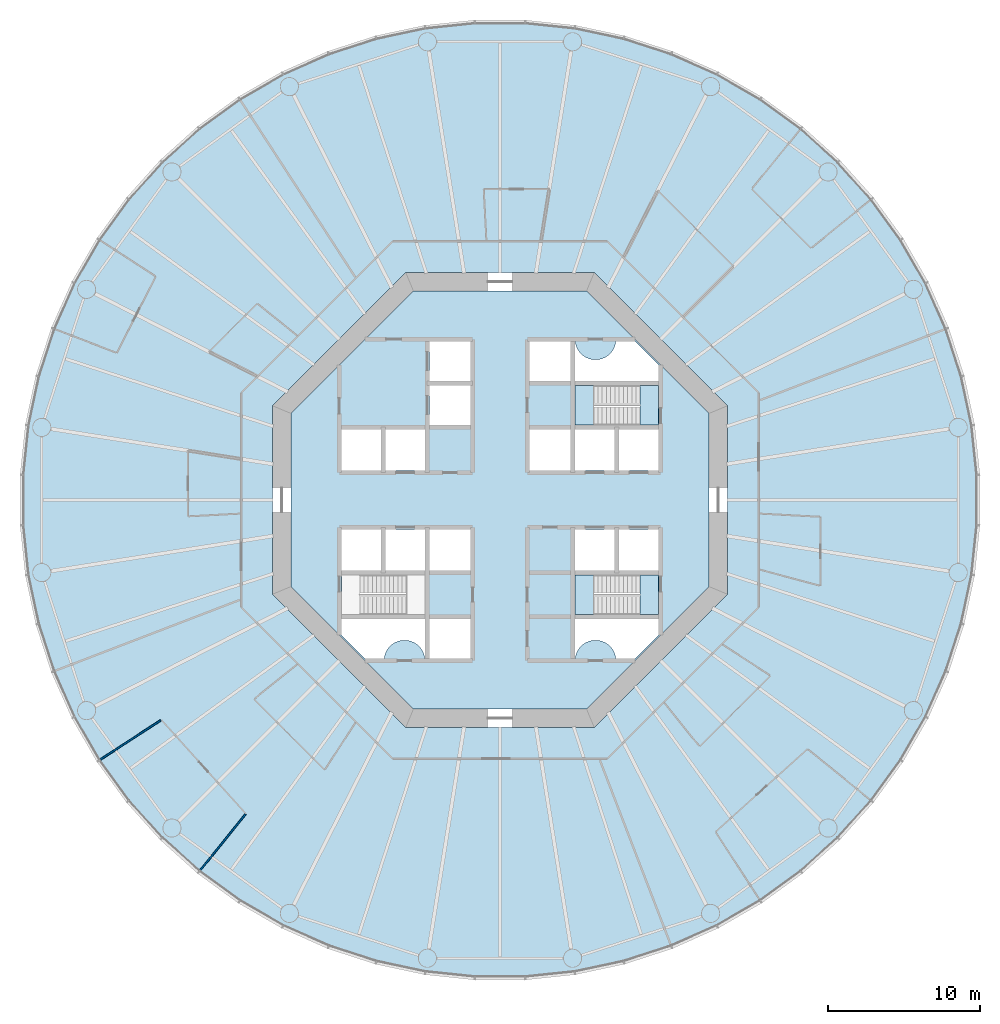
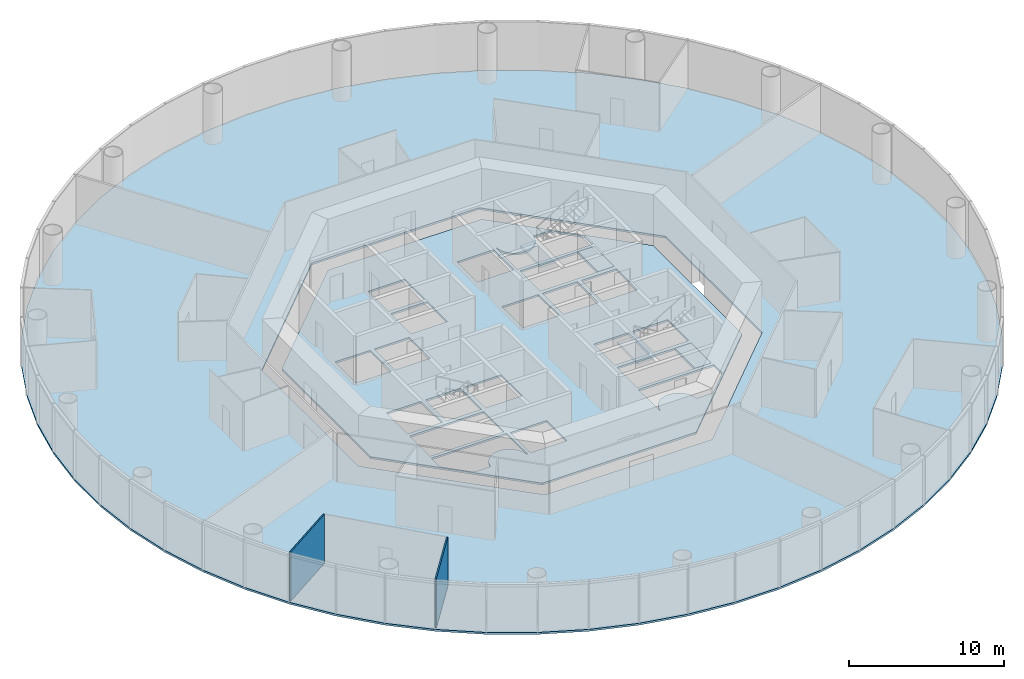
# One storey, part 2 of 13: 6 slabs, 2 walls, 2 elements without a shape of their own.
"""IFC4 building model written with IfcOpenShell, lengths in metres."""

from ifc_helpers import new_model, si_unit, direction, frame, frame_2d, origin, place, context, subcontext, project, spatial, polyline, rectangle, outline, extrude, material, layer, layer_set, type_object, element, aggregate, save


model = new_model("IFC4")

# Units and contexts
model_context = context("Model", 3, precision=1e-05, world=origin(), true_north=direction((0.0, 1.0)))
body_context = subcontext(model_context, "Body", "Model", "MODEL_VIEW")
ifc_project = project(units=[si_unit("LENGTHUNIT", "METRE"), si_unit("AREAUNIT", "SQUARE_METRE"), si_unit("VOLUMEUNIT", "CUBIC_METRE"), si_unit("PLANEANGLEUNIT", "RADIAN"), si_unit("MASSUNIT", "GRAM", prefix="KILO")], contexts=[model_context])

# Site, building, storey
site_placement = place(None, origin())
site = spatial("IfcSite", under=ifc_project, at=site_placement, CompositionType="ELEMENT")
building_placement = place(site_placement, origin())
building = spatial("IfcBuilding", under=site, at=building_placement, Name="Entoto Ring Tower", CompositionType="ELEMENT")
storey_placement = place(building_placement, frame((0.0, 0.0, 104.0)))
storey = spatial("IfcBuildingStorey", under=building, at=storey_placement, Name="L23", CompositionType="ELEMENT", Elevation=104.0)

# Slabs
ifc_material_1 = material(Name="Concrete C30/37", Category="concrete")
ifc_layer_1 = layer(ifc_material_1, 0.14990234375)
ifc_layer_set_1 = layer_set([ifc_layer_1], Name="Concrete C30/37")
slab_type_1 = type_object("IfcSlabType", Name="Composite floor slab 150 mm", PredefinedType="FLOOR", material=ifc_layer_set_1)
slab_1_placement = place(storey_placement, frame((0.0, 0.0, -0.14990234375)))
element("IfcSlab", 1, at=slab_1_placement, inside=storey, type_object=slab_type_1, Name="Floor slab L23", PredefinedType="FLOOR", context=body_context, shape_type="SweptSolid", body=[
    extrude(outline(polyline([(121.2109375, 84.943359375), (120.523193359375, 88.1787109375), (119.501220703125, 91.324462890625), (118.15576171875, 94.34619140625), (116.501953125, 97.210693359375), (114.557861328125, 99.886474609375), (112.344482421875, 102.344482421875), (109.886474609375, 104.557861328125), (107.210693359375, 106.501953125), (104.34619140625, 108.15576171875), (101.324462890625, 109.501220703125), (98.1787109375, 110.523193359375), (94.943359375, 111.2109375), (91.65380859375, 111.556640625), (88.34619140625, 111.556640625), (85.056640625, 111.2109375), (81.8212890625, 110.523193359375), (78.675537109375, 109.501220703125), (75.65380859375, 108.15576171875), (72.789306640625, 106.501953125), (70.113525390625, 104.557861328125), (67.655517578125, 102.344482421875), (65.442138671875, 99.886474609375), (63.498046875, 97.210693359375), (61.84423828125, 94.34619140625), (60.498779296875, 91.324462890625), (59.476806640625, 88.1787109375), (58.7890625, 84.943359375), (58.443359375, 81.65380859375), (58.443359375, 78.34619140625), (58.7890625, 75.056640625), (59.476806640625, 71.8212890625), (60.498779296875, 68.675537109375), (61.84423828125, 65.65380859375), (63.498046875, 62.789306640625), (65.442138671875, 60.113525390625), (67.655517578125, 57.655517578125), (70.113525390625, 55.442138671875), (72.789306640625, 53.498046875), (75.65380859375, 51.84423828125), (78.675537109375, 50.498779296875), (81.8212890625, 49.476806640625), (85.056640625, 48.7890625), (88.34619140625, 48.443359375), (91.65380859375, 48.443359375), (94.943359375, 48.7890625), (98.1787109375, 49.476806640625), (101.324462890625, 50.498779296875), (104.34619140625, 51.84423828125), (107.210693359375, 53.498046875), (109.886474609375, 55.442138671875), (112.344482421875, 57.655517578125), (114.557861328125, 60.113525390625), (116.501953125, 62.789306640625), (118.15576171875, 65.65380859375), (119.501220703125, 68.675537109375), (120.523193359375, 71.8212890625), (121.2109375, 75.056640625), (121.556640625, 78.34619140625), (121.556640625, 81.65380859375), (121.2109375, 84.943359375)]), holes=[polyline([(105.0, 73.786865234375), (105.0, 86.213134765625), (96.213134765625, 95.0), (83.786865234375, 95.0), (75.0, 86.213134765625), (75.0, 73.786865234375), (83.786865234375, 65.0), (96.213134765625, 65.0), (105.0, 73.786865234375)])]), origin(), (0.0, 0.0, 1.0), 0.14990234375),
])
ifc_material_2 = material(Name="Concrete C40/50", Category="concrete")
ifc_layer_2 = layer(ifc_material_2, 0.14990234375)
ifc_layer_set_2 = layer_set([ifc_layer_2], Name="Concrete C40/50")
slab_type_2 = type_object("IfcSlabType", Name="Core floor slab 150 mm reinforced concrete C40/50", PredefinedType="FLOOR", material=ifc_layer_set_2)
slab_2_placement = place(storey_placement, frame((0.0, 0.0, -0.14990234375)))
element("IfcSlab", 2, at=slab_2_placement, inside=storey, type_object=slab_type_2, Name="Core floor L23", PredefinedType="FLOOR", context=body_context, shape_type="SweptSolid", body=[
    extrude(outline(polyline([(103.800048828125, 74.283935546875), (103.800048828125, 85.716064453125), (95.716064453125, 93.800048828125), (84.283935546875, 93.800048828125), (76.199951171875, 85.716064453125), (76.199951171875, 74.283935546875), (84.283935546875, 66.199951171875), (95.716064453125, 66.199951171875), (103.800048828125, 74.283935546875)]), holes=[polyline([(100.449951171875, 84.949951171875), (100.449951171875, 87.550048828125), (94.949951171875, 87.550048828125), (94.949951171875, 84.949951171875), (100.449951171875, 84.949951171875)]), polyline([(85.050048828125, 72.449951171875), (85.050048828125, 75.050048828125), (79.550048828125, 75.050048828125), (79.550048828125, 72.449951171875), (85.050048828125, 72.449951171875)]), polyline([(100.449951171875, 72.449951171875), (100.449951171875, 75.050048828125), (94.949951171875, 75.050048828125), (94.949951171875, 72.449951171875), (100.449951171875, 72.449951171875)]), polyline([(94.949951171875, 81.949951171875), (97.550048828125, 81.949951171875), (97.550048828125, 84.64990234375), (94.949951171875, 84.64990234375), (94.949951171875, 81.949951171875)]), polyline([(97.85009765625, 81.949951171875), (100.449951171875, 81.949951171875), (100.449951171875, 84.64990234375), (97.85009765625, 84.64990234375), (97.85009765625, 81.949951171875)]), polyline([(82.449951171875, 81.949951171875), (85.050048828125, 81.949951171875), (85.050048828125, 84.64990234375), (82.449951171875, 84.64990234375), (82.449951171875, 81.949951171875)]), polyline([(94.949951171875, 75.35009765625), (97.550048828125, 75.35009765625), (97.550048828125, 78.050048828125), (94.949951171875, 78.050048828125), (94.949951171875, 75.35009765625)]), polyline([(97.85009765625, 75.35009765625), (100.449951171875, 75.35009765625), (100.449951171875, 78.050048828125), (97.85009765625, 78.050048828125), (97.85009765625, 75.35009765625)]), polyline([(82.449951171875, 75.35009765625), (85.050048828125, 75.35009765625), (85.050048828125, 78.050048828125), (82.449951171875, 78.050048828125), (82.449951171875, 75.35009765625)]), polyline([(79.550048828125, 81.949951171875), (82.14990234375, 81.949951171875), (82.14990234375, 84.64990234375), (79.550048828125, 84.64990234375), (79.550048828125, 81.949951171875)]), polyline([(79.550048828125, 75.35009765625), (82.14990234375, 75.35009765625), (82.14990234375, 78.050048828125), (79.550048828125, 78.050048828125), (79.550048828125, 75.35009765625)]), polyline([(91.949951171875, 87.85009765625), (94.64990234375, 87.85009765625), (94.64990234375, 90.449951171875), (91.949951171875, 90.449951171875), (91.949951171875, 87.85009765625)]), polyline([(85.35009765625, 69.550048828125), (88.050048828125, 69.550048828125), (88.050048828125, 72.14990234375), (85.35009765625, 72.14990234375), (85.35009765625, 69.550048828125)]), polyline([(91.949951171875, 81.949951171875), (94.64990234375, 81.949951171875), (94.64990234375, 84.64990234375), (91.949951171875, 84.64990234375), (91.949951171875, 81.949951171875)]), polyline([(85.35009765625, 75.35009765625), (88.050048828125, 75.35009765625), (88.050048828125, 78.050048828125), (85.35009765625, 78.050048828125), (85.35009765625, 75.35009765625)]), polyline([(85.35009765625, 84.949951171875), (88.050048828125, 84.949951171875), (88.050048828125, 87.550048828125), (85.35009765625, 87.550048828125), (85.35009765625, 84.949951171875)]), polyline([(85.35009765625, 87.85009765625), (88.050048828125, 87.85009765625), (88.050048828125, 90.449951171875), (85.35009765625, 90.449951171875), (85.35009765625, 87.85009765625)]), polyline([(94.89990234375, 90.5), (94.89990234375, 87.800048828125), (100.5, 87.800048828125), (100.5, 88.874755859375), (98.874755859375, 90.5), (97.64501953125, 90.5), (97.6435546875, 90.4677734375), (97.6240234375, 90.336669921875), (97.591796875, 90.2080078125), (97.547119140625, 90.08349609375), (97.490478515625, 89.963623046875), (97.422607421875, 89.85009765625), (97.343505859375, 89.74365234375), (97.254638671875, 89.6455078125), (97.156494140625, 89.556396484375), (97.050048828125, 89.4775390625), (96.936279296875, 89.409423828125), (96.816650390625, 89.352783203125), (96.69189453125, 89.30810546875), (96.5634765625, 89.27587890625), (96.432373046875, 89.256591796875), (96.300048828125, 89.25), (96.167724609375, 89.256591796875), (96.03662109375, 89.27587890625), (95.908203125, 89.30810546875), (95.783447265625, 89.352783203125), (95.66357421875, 89.409423828125), (95.550048828125, 89.4775390625), (95.443603515625, 89.556396484375), (95.345458984375, 89.6455078125), (95.25634765625, 89.74365234375), (95.177490234375, 89.85009765625), (95.109375, 89.963623046875), (95.052734375, 90.08349609375), (95.008056640625, 90.2080078125), (94.975830078125, 90.336669921875), (94.95654296875, 90.4677734375), (94.954833984375, 90.5), (94.89990234375, 90.5)]), polyline([(79.5, 71.125244140625), (81.125244140625, 69.5), (82.35498046875, 69.5), (82.3564453125, 69.5322265625), (82.3759765625, 69.663330078125), (82.408203125, 69.7919921875), (82.452880859375, 69.91650390625), (82.509521484375, 70.036376953125), (82.577392578125, 70.14990234375), (82.656494140625, 70.25634765625), (82.745361328125, 70.3544921875), (82.843505859375, 70.443603515625), (82.949951171875, 70.5224609375), (83.063720703125, 70.590576171875), (83.183349609375, 70.647216796875), (83.30810546875, 70.69189453125), (83.4365234375, 70.72412109375), (83.567626953125, 70.743408203125), (83.699951171875, 70.75), (83.832275390625, 70.743408203125), (83.96337890625, 70.72412109375), (84.091796875, 70.69189453125), (84.216552734375, 70.647216796875), (84.33642578125, 70.590576171875), (84.449951171875, 70.5224609375), (84.556396484375, 70.443603515625), (84.654541015625, 70.3544921875), (84.74365234375, 70.25634765625), (84.822509765625, 70.14990234375), (84.890625, 70.036376953125), (84.947265625, 69.91650390625), (84.991943359375, 69.7919921875), (85.024169921875, 69.663330078125), (85.04345703125, 69.5322265625), (85.045166015625, 69.5), (85.10009765625, 69.5), (85.10009765625, 72.199951171875), (79.5, 72.199951171875), (79.5, 71.125244140625)]), polyline([(97.64501953125, 69.5), (98.874755859375, 69.5), (100.5, 71.125244140625), (100.5, 72.199951171875), (94.89990234375, 72.199951171875), (94.89990234375, 69.5), (94.954833984375, 69.5), (94.95654296875, 69.5322265625), (94.975830078125, 69.663330078125), (95.008056640625, 69.7919921875), (95.052734375, 69.91650390625), (95.109375, 70.036376953125), (95.177490234375, 70.14990234375), (95.25634765625, 70.25634765625), (95.345458984375, 70.3544921875), (95.443603515625, 70.443603515625), (95.550048828125, 70.5224609375), (95.66357421875, 70.590576171875), (95.783447265625, 70.647216796875), (95.908203125, 70.69189453125), (96.03662109375, 70.72412109375), (96.167724609375, 70.743408203125), (96.300048828125, 70.75), (96.432373046875, 70.743408203125), (96.5634765625, 70.72412109375), (96.69189453125, 70.69189453125), (96.816650390625, 70.647216796875), (96.936279296875, 70.590576171875), (97.050048828125, 70.5224609375), (97.156494140625, 70.443603515625), (97.254638671875, 70.3544921875), (97.343505859375, 70.25634765625), (97.422607421875, 70.14990234375), (97.490478515625, 70.036376953125), (97.547119140625, 69.91650390625), (97.591796875, 69.7919921875), (97.6240234375, 69.663330078125), (97.6435546875, 69.5322265625), (97.64501953125, 69.5)])]), origin(), (0.0, 0.0, 1.0), 0.14990234375),
])

# Stair, slabs
ifc_material_3 = material(Name="Concrete C40/50", Category="concrete")
stair_type = type_object("IfcStairType", Name="Exit stair 1200 mm dog-leg reinforced concrete", PredefinedType="HALF_TURN_STAIR", material=ifc_material_3)
stair_1_placement = place(storey_placement, origin())
stair_1 = element("IfcStair", 3, at=stair_1_placement, inside=storey, type_object=stair_type, Name="Exit stair 1", PredefinedType="HALF_TURN_STAIR")
ifc_material_4 = material(Name="Concrete C40/50", Category="concrete")
ifc_layer_3 = layer(ifc_material_4, 0.199951171875)
ifc_layer_set_3 = layer_set([ifc_layer_3], Name="Concrete C40/50")
slab_type_3 = type_object("IfcSlabType", Name="Stair landing 200 mm reinforced concrete", PredefinedType="LANDING", material=ifc_layer_set_3)
slab_3_placement = place(storey_placement, frame((0.0, 0.0, -0.199951171875)))
slab_3 = element("IfcSlab", 4, at=slab_3_placement, type_object=slab_type_3, Name="ST1 landing 1", PredefinedType="LANDING", context=body_context, shape_type="SweptSolid", body=[
    extrude(outline(polyline([(100.449951171875, 84.949951171875), (100.449951171875, 87.550048828125), (99.25, 87.550048828125), (99.25, 84.949951171875), (100.449951171875, 84.949951171875)])), origin(), (0.0, 0.0, 1.0), 0.199951171875),
])
slab_4_placement = place(storey_placement, frame((0.0, 0.0, 1.800048828125)))
slab_4 = element("IfcSlab", 5, at=slab_4_placement, type_object=slab_type_3, Name="ST1 landing 2", PredefinedType="LANDING", context=body_context, shape_type="SweptSolid", body=[
    extrude(outline(polyline([(94.949951171875, 84.949951171875), (96.169921875, 84.949951171875), (96.169921875, 87.550048828125), (94.949951171875, 87.550048828125), (94.949951171875, 84.949951171875)])), origin(), (0.0, 0.0, 1.0), 0.199951171875),
])
aggregate(stair_1, [slab_3, slab_4])

stair_2_placement = place(storey_placement, origin())
stair_2 = element("IfcStair", 6, at=stair_2_placement, inside=storey, type_object=stair_type, Name="Exit stair 3", PredefinedType="HALF_TURN_STAIR")
slab_5_placement = place(storey_placement, frame((0.0, 0.0, -0.199951171875)))
slab_5 = element("IfcSlab", 7, at=slab_5_placement, type_object=slab_type_3, Name="ST3 landing 1", PredefinedType="LANDING", context=body_context, shape_type="SweptSolid", body=[
    extrude(outline(polyline([(100.449951171875, 72.449951171875), (100.449951171875, 75.050048828125), (99.25, 75.050048828125), (99.25, 72.449951171875), (100.449951171875, 72.449951171875)])), origin(), (0.0, 0.0, 1.0), 0.199951171875),
])
slab_6_placement = place(storey_placement, frame((0.0, 0.0, 1.800048828125)))
slab_6 = element("IfcSlab", 8, at=slab_6_placement, type_object=slab_type_3, Name="ST3 landing 2", PredefinedType="LANDING", context=body_context, shape_type="SweptSolid", body=[
    extrude(outline(polyline([(94.949951171875, 72.449951171875), (96.169921875, 72.449951171875), (96.169921875, 75.050048828125), (94.949951171875, 75.050048828125), (94.949951171875, 72.449951171875)])), origin(), (0.0, 0.0, 1.0), 0.199951171875),
])
aggregate(stair_2, [slab_5, slab_6])

# Walls
ifc_material_5 = material(Name="Plasterboard on steel studs", Category="steel")
ifc_layer_4 = layer(ifc_material_5, 0.10009765625)
ifc_layer_set_4 = layer_set([ifc_layer_4], Name="Plasterboard on steel studs")
wall_type = type_object("IfcWallType", Name="Partition 100 mm plasterboard on steel studs", PredefinedType="PARTITIONING", material=ifc_layer_set_4)
wall_1_placement = place(storey_placement, frame((63.632080078125, 62.87646484375, 0.0), z_axis=(0.0, 0.0, 1.0), x_axis=(0.838656789212, 0.544660251817, 0.0)))
element("IfcWall", 9, at=wall_1_placement, inside=storey, type_object=wall_type, Name="partition-L23-025", PredefinedType="PARTITIONING", context=body_context, shape_type="SweptSolid", body=[
    extrude(rectangle(XDim=4.7607421875, YDim=0.10009765625, at=frame_2d((2.38037109375, 0.0))), origin(), (0.0, 0.0, 1.0), 3.85009765625),
])
wall_2_placement = place(storey_placement, frame((70.214111328125, 55.56640625, 0.0), z_axis=(0.0, 0.0, 1.0), x_axis=(0.62931181132, 0.777152909107, 0.0)))
element("IfcWall", 10, at=wall_2_placement, inside=storey, type_object=wall_type, Name="partition-L23-026", PredefinedType="PARTITIONING", context=body_context, shape_type="SweptSolid", body=[
    extrude(rectangle(XDim=4.760986328125, YDim=0.10009765625, at=frame_2d((2.38037109375, 0.0))), origin(), (0.0, 0.0, 1.0), 3.85009765625),
])

save(model, "model.ifc")
